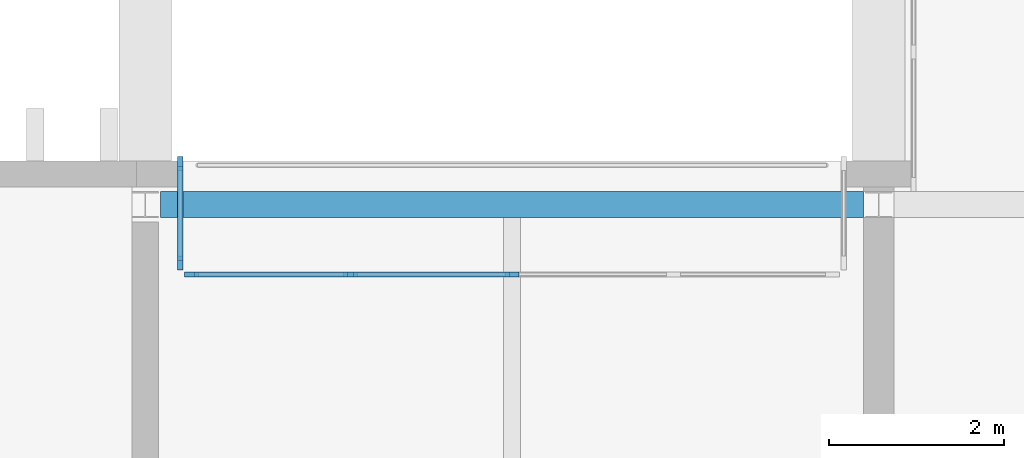
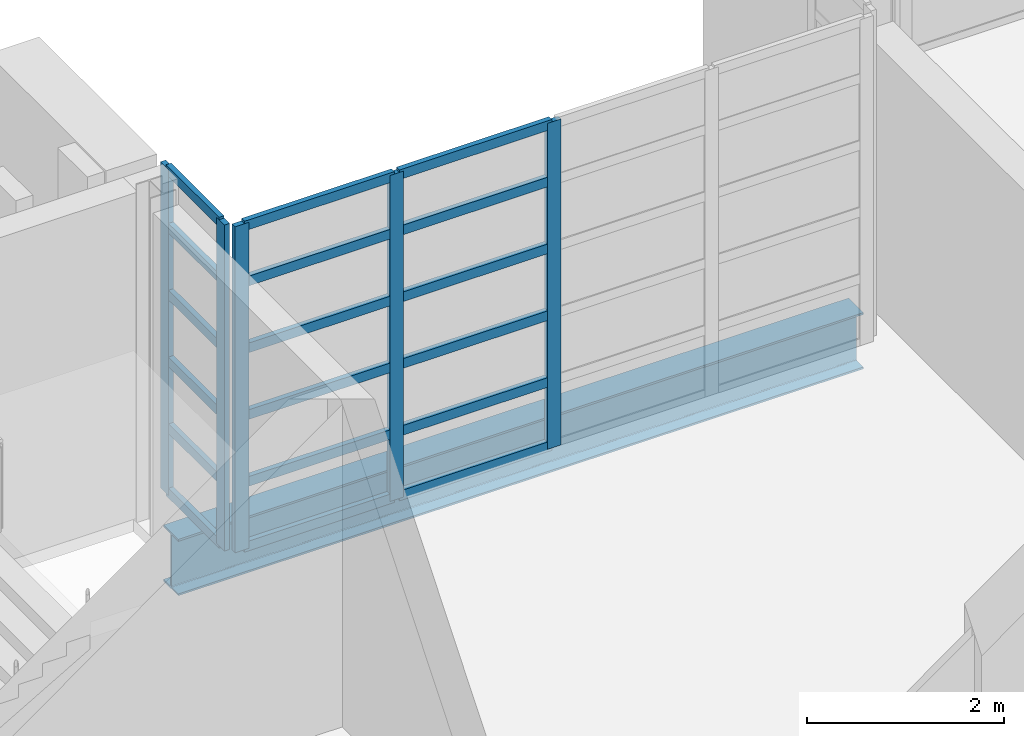
# One storey, part 18 of 100: 23 members, 1 beam, 2 elements without a shape of their own.
"""IFC4 building model written with IfcOpenShell, lengths in metres."""

from ifc_helpers import new_model, si_unit, direction, frame, origin, origin_2d, place, context, subcontext, project, spatial, rectangle, i_section, extrude, material, layer, layer_set, material_profile, profile_set, type_object, element, aggregate, save


model = new_model("IFC4")

# Units and contexts
model_context = context("Model", 3, precision=1e-05, world=origin(), true_north=direction((0.0, 1.0)))
body_context = subcontext(model_context, "Body", "Model", "MODEL_VIEW")
ifc_project = project(units=[si_unit("LENGTHUNIT", "METRE"), si_unit("AREAUNIT", "SQUARE_METRE"), si_unit("VOLUMEUNIT", "CUBIC_METRE"), si_unit("PLANEANGLEUNIT", "RADIAN"), si_unit("MASSUNIT", "GRAM", prefix="KILO")], contexts=[model_context])

# Site, building, storey
site_placement = place(None, origin())
site = spatial("IfcSite", under=ifc_project, at=site_placement, CompositionType="ELEMENT")
building_placement = place(site_placement, origin())
building = spatial("IfcBuilding", under=site, at=building_placement, Name="Cresset Court Congress Hotel", CompositionType="ELEMENT")
storey_placement = place(building_placement, frame((0.0, 0.0, 10.199951171875)))
storey = spatial("IfcBuildingStorey", under=building, at=storey_placement, Name="L02", CompositionType="ELEMENT", Elevation=10.199951171875)

# Curtain wall, members
ifc_material_1 = material(Name="Aluminium frame with double glazing", Category="aluminium")
ifc_layer = layer(ifc_material_1, 0.199951171875)
ifc_layer_set = layer_set([ifc_layer], Name="Glazed box curtain wall 1680 module")
curtain_wall_type = type_object("IfcCurtainWallType", Name="Glazed box curtain wall 1680 module", PredefinedType="NOTDEFINED", material=ifc_layer_set)
curtain_wall_1_placement = place(storey_placement, origin())
curtain_wall_1 = element("IfcCurtainWall", 1, at=curtain_wall_1_placement, inside=storey, type_object=curtain_wall_type, Name="Glazed box N0226 front", PredefinedType="NOTDEFINED")
ifc_material_2 = material(Name="Aluminium", Category="aluminium")
ifc_material_profile_1 = material_profile(ifc_material_2, rectangle(XDim=0.06005859375, YDim=0.159912109375, at=origin_2d()), Name="Box mullion 60x160")
ifc_profile_set_1 = profile_set([ifc_material_profile_1], Name="Aluminium")
member_type_1 = type_object("IfcMemberType", Name="Box mullion 60x160", PredefinedType="MULLION", material=ifc_profile_set_1)
member_1_placement = place(storey_placement, frame((67.72998046875, 24.39990234375, 0.0), z_axis=(0.0, 0.0, 1.0), x_axis=(0.0, 1.0, 0.0)))
member_1 = element("IfcMember", 2, at=member_1_placement, type_object=member_type_1, Name="B-X1 mullion 1", PredefinedType="MULLION", context=body_context, shape_type="SweptSolid", body=[
    extrude(rectangle(XDim=0.06005859375, YDim=0.159912109375, at=origin_2d()), origin(), (0.0, 0.0, 1.0), 4.050048828125),
])
member_2_placement = place(storey_placement, frame((69.550048828125, 24.39990234375, 0.0), z_axis=(0.0, 0.0, 1.0), x_axis=(0.0, 1.0, 0.0)))
member_2 = element("IfcMember", 3, at=member_2_placement, type_object=member_type_1, Name="B-X1 mullion 2", PredefinedType="MULLION", context=body_context, shape_type="SweptSolid", body=[
    extrude(rectangle(XDim=0.06005859375, YDim=0.159912109375, at=origin_2d()), origin(), (0.0, 0.0, 1.0), 4.050048828125),
])
member_3_placement = place(storey_placement, frame((71.39990234375, 24.39990234375, 0.0), z_axis=(0.0, 0.0, 1.0), x_axis=(0.0, 1.0, 0.0)))
member_3 = element("IfcMember", 4, at=member_3_placement, type_object=member_type_1, Name="B-X1 mullion 3", PredefinedType="MULLION", context=body_context, shape_type="SweptSolid", body=[
    extrude(rectangle(XDim=0.06005859375, YDim=0.159912109375, at=origin_2d()), origin(), (0.0, 0.0, 1.0), 4.050048828125),
])

curtain_wall_2_placement = place(storey_placement, origin())
curtain_wall_2 = element("IfcCurtainWall", 5, at=curtain_wall_2_placement, inside=storey, type_object=curtain_wall_type, Name="Glazed box N0226 side", PredefinedType="NOTDEFINED")
member_4_placement = place(storey_placement, frame((67.60009765625, 25.669921875, 0.0), z_axis=(0.0, 0.0, 1.0), x_axis=(1.0, 0.0, 0.0)))
member_4 = element("IfcMember", 6, at=member_4_placement, type_object=member_type_1, Name="B-X1 mullion 1", PredefinedType="MULLION", context=body_context, shape_type="SweptSolid", body=[
    extrude(rectangle(XDim=0.06005859375, YDim=0.159912109375, at=origin_2d()), origin(), (0.0, 0.0, 1.0), 4.050048828125),
])
member_5_placement = place(storey_placement, frame((67.60009765625, 24.530029296875, 0.0), z_axis=(0.0, 0.0, 1.0), x_axis=(1.0, 0.0, 0.0)))
member_5 = element("IfcMember", 7, at=member_5_placement, type_object=member_type_1, Name="B-X1 mullion 2", PredefinedType="MULLION", context=body_context, shape_type="SweptSolid", body=[
    extrude(rectangle(XDim=0.06005859375, YDim=0.159912109375, at=origin_2d()), origin(), (0.0, 0.0, 1.0), 4.050048828125),
])

# Member
ifc_material_3 = material(Name="Aluminium", Category="aluminium")
ifc_material_profile_2 = material_profile(ifc_material_3, rectangle(XDim=0.06005859375, YDim=0.1201171875, at=origin_2d()), Name="Box transom 60x120")
ifc_profile_set_2 = profile_set([ifc_material_profile_2], Name="Aluminium")
member_type_2 = type_object("IfcMemberType", Name="Box transom 60x120", PredefinedType="USERDEFINED", material=ifc_profile_set_2)
member_6_placement = place(storey_placement, frame((67.760009765625, 24.39990234375, 0.030029296875), z_axis=(1.0, 0.0, 0.0), x_axis=(0.0, 1.0, 0.0)))
member_6 = element("IfcMember", 8, at=member_6_placement, type_object=member_type_2, Name="B-X1 transom 1.1", ObjectType="TRANSOM", PredefinedType="USERDEFINED", context=body_context, shape_type="SweptSolid", body=[
    extrude(rectangle(XDim=0.06005859375, YDim=0.1201171875, at=origin_2d()), origin(), (0.0, 0.0, 1.0), 1.760009765625),
])

member_7_placement = place(storey_placement, frame((67.760009765625, 24.39990234375, 0.830078125), z_axis=(1.0, 0.0, 0.0), x_axis=(0.0, 1.0, 0.0)))
member_7 = element("IfcMember", 9, at=member_7_placement, type_object=member_type_2, Name="B-X1 transom 1.2", ObjectType="TRANSOM", PredefinedType="USERDEFINED", context=body_context, shape_type="SweptSolid", body=[
    extrude(rectangle(XDim=0.06005859375, YDim=0.1201171875, at=origin_2d()), origin(), (0.0, 0.0, 1.0), 1.760009765625),
])

member_8_placement = place(storey_placement, frame((67.760009765625, 24.39990234375, 1.66015625), z_axis=(1.0, 0.0, 0.0), x_axis=(0.0, 1.0, 0.0)))
member_8 = element("IfcMember", 10, at=member_8_placement, type_object=member_type_2, Name="B-X1 transom 1.3", ObjectType="TRANSOM", PredefinedType="USERDEFINED", context=body_context, shape_type="SweptSolid", body=[
    extrude(rectangle(XDim=0.06005859375, YDim=0.1201171875, at=origin_2d()), origin(), (0.0, 0.0, 1.0), 1.760009765625),
])

member_9_placement = place(storey_placement, frame((67.760009765625, 24.39990234375, 2.489990234375), z_axis=(1.0, 0.0, 0.0), x_axis=(0.0, 1.0, 0.0)))
member_9 = element("IfcMember", 11, at=member_9_placement, type_object=member_type_2, Name="B-X1 transom 1.4", ObjectType="TRANSOM", PredefinedType="USERDEFINED", context=body_context, shape_type="SweptSolid", body=[
    extrude(rectangle(XDim=0.06005859375, YDim=0.1201171875, at=origin_2d()), origin(), (0.0, 0.0, 1.0), 1.760009765625),
])

member_10_placement = place(storey_placement, frame((67.760009765625, 24.39990234375, 3.320068359375), z_axis=(1.0, 0.0, 0.0), x_axis=(0.0, 1.0, 0.0)))
member_10 = element("IfcMember", 12, at=member_10_placement, type_object=member_type_2, Name="B-X1 transom 1.5", ObjectType="TRANSOM", PredefinedType="USERDEFINED", context=body_context, shape_type="SweptSolid", body=[
    extrude(rectangle(XDim=0.06005859375, YDim=0.1201171875, at=origin_2d()), origin(), (0.0, 0.0, 1.0), 1.760009765625),
])

member_11_placement = place(storey_placement, frame((67.760009765625, 24.39990234375, 4.02001953125), z_axis=(1.0, 0.0, 0.0), x_axis=(0.0, 1.0, 0.0)))
member_11 = element("IfcMember", 13, at=member_11_placement, type_object=member_type_2, Name="B-X1 transom 1.6", ObjectType="TRANSOM", PredefinedType="USERDEFINED", context=body_context, shape_type="SweptSolid", body=[
    extrude(rectangle(XDim=0.06005859375, YDim=0.1201171875, at=origin_2d()), origin(), (0.0, 0.0, 1.0), 1.760009765625),
])

member_12_placement = place(storey_placement, frame((69.580078125, 24.39990234375, 0.030029296875), z_axis=(1.0, 0.0, 0.0), x_axis=(0.0, 1.0, 0.0)))
member_12 = element("IfcMember", 14, at=member_12_placement, type_object=member_type_2, Name="B-X1 transom 2.1", ObjectType="TRANSOM", PredefinedType="USERDEFINED", context=body_context, shape_type="SweptSolid", body=[
    extrude(rectangle(XDim=0.06005859375, YDim=0.1201171875, at=origin_2d()), origin(), (0.0, 0.0, 1.0), 1.7900390625),
])

member_13_placement = place(storey_placement, frame((69.580078125, 24.39990234375, 0.830078125), z_axis=(1.0, 0.0, 0.0), x_axis=(0.0, 1.0, 0.0)))
member_13 = element("IfcMember", 15, at=member_13_placement, type_object=member_type_2, Name="B-X1 transom 2.2", ObjectType="TRANSOM", PredefinedType="USERDEFINED", context=body_context, shape_type="SweptSolid", body=[
    extrude(rectangle(XDim=0.06005859375, YDim=0.1201171875, at=origin_2d()), origin(), (0.0, 0.0, 1.0), 1.7900390625),
])

member_14_placement = place(storey_placement, frame((69.580078125, 24.39990234375, 1.66015625), z_axis=(1.0, 0.0, 0.0), x_axis=(0.0, 1.0, 0.0)))
member_14 = element("IfcMember", 16, at=member_14_placement, type_object=member_type_2, Name="B-X1 transom 2.3", ObjectType="TRANSOM", PredefinedType="USERDEFINED", context=body_context, shape_type="SweptSolid", body=[
    extrude(rectangle(XDim=0.06005859375, YDim=0.1201171875, at=origin_2d()), origin(), (0.0, 0.0, 1.0), 1.7900390625),
])

member_15_placement = place(storey_placement, frame((69.580078125, 24.39990234375, 2.489990234375), z_axis=(1.0, 0.0, 0.0), x_axis=(0.0, 1.0, 0.0)))
member_15 = element("IfcMember", 17, at=member_15_placement, type_object=member_type_2, Name="B-X1 transom 2.4", ObjectType="TRANSOM", PredefinedType="USERDEFINED", context=body_context, shape_type="SweptSolid", body=[
    extrude(rectangle(XDim=0.06005859375, YDim=0.1201171875, at=origin_2d()), origin(), (0.0, 0.0, 1.0), 1.7900390625),
])

member_16_placement = place(storey_placement, frame((69.580078125, 24.39990234375, 3.320068359375), z_axis=(1.0, 0.0, 0.0), x_axis=(0.0, 1.0, 0.0)))
member_16 = element("IfcMember", 18, at=member_16_placement, type_object=member_type_2, Name="B-X1 transom 2.5", ObjectType="TRANSOM", PredefinedType="USERDEFINED", context=body_context, shape_type="SweptSolid", body=[
    extrude(rectangle(XDim=0.06005859375, YDim=0.1201171875, at=origin_2d()), origin(), (0.0, 0.0, 1.0), 1.7900390625),
])

member_17_placement = place(storey_placement, frame((69.580078125, 24.39990234375, 4.02001953125), z_axis=(1.0, 0.0, 0.0), x_axis=(0.0, 1.0, 0.0)))
member_17 = element("IfcMember", 19, at=member_17_placement, type_object=member_type_2, Name="B-X1 transom 2.6", ObjectType="TRANSOM", PredefinedType="USERDEFINED", context=body_context, shape_type="SweptSolid", body=[
    extrude(rectangle(XDim=0.06005859375, YDim=0.1201171875, at=origin_2d()), origin(), (0.0, 0.0, 1.0), 1.7900390625),
])

aggregate(curtain_wall_1, [member_1, member_2, member_3, member_6, member_7, member_8, member_9, member_10, member_11, member_12, member_13, member_14, member_15, member_16, member_17])

member_18_placement = place(storey_placement, frame((67.60009765625, 25.639892578125, 0.030029296875), z_axis=(0.0, -1.0, 0.0), x_axis=(1.0, 0.0, 0.0)))
member_18 = element("IfcMember", 20, at=member_18_placement, type_object=member_type_2, Name="B-X1 transom 1.1", ObjectType="TRANSOM", PredefinedType="USERDEFINED", context=body_context, shape_type="SweptSolid", body=[
    extrude(rectangle(XDim=0.06005859375, YDim=0.1201171875, at=origin_2d()), origin(), (0.0, 0.0, 1.0), 1.079833984375),
])

member_19_placement = place(storey_placement, frame((67.60009765625, 25.639892578125, 0.830078125), z_axis=(0.0, -1.0, 0.0), x_axis=(1.0, 0.0, 0.0)))
member_19 = element("IfcMember", 21, at=member_19_placement, type_object=member_type_2, Name="B-X1 transom 1.2", ObjectType="TRANSOM", PredefinedType="USERDEFINED", context=body_context, shape_type="SweptSolid", body=[
    extrude(rectangle(XDim=0.06005859375, YDim=0.1201171875, at=origin_2d()), origin(), (0.0, 0.0, 1.0), 1.079833984375),
])

member_20_placement = place(storey_placement, frame((67.60009765625, 25.639892578125, 1.66015625), z_axis=(0.0, -1.0, 0.0), x_axis=(1.0, 0.0, 0.0)))
member_20 = element("IfcMember", 22, at=member_20_placement, type_object=member_type_2, Name="B-X1 transom 1.3", ObjectType="TRANSOM", PredefinedType="USERDEFINED", context=body_context, shape_type="SweptSolid", body=[
    extrude(rectangle(XDim=0.06005859375, YDim=0.1201171875, at=origin_2d()), origin(), (0.0, 0.0, 1.0), 1.079833984375),
])

member_21_placement = place(storey_placement, frame((67.60009765625, 25.639892578125, 2.489990234375), z_axis=(0.0, -1.0, 0.0), x_axis=(1.0, 0.0, 0.0)))
member_21 = element("IfcMember", 23, at=member_21_placement, type_object=member_type_2, Name="B-X1 transom 1.4", ObjectType="TRANSOM", PredefinedType="USERDEFINED", context=body_context, shape_type="SweptSolid", body=[
    extrude(rectangle(XDim=0.06005859375, YDim=0.1201171875, at=origin_2d()), origin(), (0.0, 0.0, 1.0), 1.079833984375),
])

member_22_placement = place(storey_placement, frame((67.60009765625, 25.639892578125, 3.320068359375), z_axis=(0.0, -1.0, 0.0), x_axis=(1.0, 0.0, 0.0)))
member_22 = element("IfcMember", 24, at=member_22_placement, type_object=member_type_2, Name="B-X1 transom 1.5", ObjectType="TRANSOM", PredefinedType="USERDEFINED", context=body_context, shape_type="SweptSolid", body=[
    extrude(rectangle(XDim=0.06005859375, YDim=0.1201171875, at=origin_2d()), origin(), (0.0, 0.0, 1.0), 1.079833984375),
])

member_23_placement = place(storey_placement, frame((67.60009765625, 25.639892578125, 4.02001953125), z_axis=(0.0, -1.0, 0.0), x_axis=(1.0, 0.0, 0.0)))
member_23 = element("IfcMember", 25, at=member_23_placement, type_object=member_type_2, Name="B-X1 transom 1.6", ObjectType="TRANSOM", PredefinedType="USERDEFINED", context=body_context, shape_type="SweptSolid", body=[
    extrude(rectangle(XDim=0.06005859375, YDim=0.1201171875, at=origin_2d()), origin(), (0.0, 0.0, 1.0), 1.079833984375),
])

aggregate(curtain_wall_2, [member_4, member_5, member_18, member_19, member_20, member_21, member_22, member_23])

# Beam
ifc_material_4 = material(Name="Structural steel Q355B", Category="steel")
ifc_material_profile_3 = material_profile(ifc_material_4, i_section(OverallWidth=0.300048828125, OverallDepth=0.699951171875, WebThickness=0.012939453125, FlangeThickness=0.02392578125, FilletRadius=0.01806640625, at=origin_2d()), Name="HN700x300x13x24")
ifc_profile_set_3 = profile_set([ifc_material_profile_3], Name="Structural steel Q355B")
beam_type = type_object("IfcBeamType", Name="Steel beam HN700x300x13x24", PredefinedType="BEAM", material=ifc_profile_set_3)
beam_placement = place(storey_placement, frame((67.375, 25.199951171875, -0.5), z_axis=(1.0, 0.0, 0.0), x_axis=(0.0, 1.0, 0.0)))
element("IfcBeam", 26, at=beam_placement, inside=storey, type_object=beam_type, Name="B.bx.L02.D09", PredefinedType="BEAM", context=body_context, shape_type="SweptSolid", body=[
    extrude(i_section(OverallWidth=0.300048828125, OverallDepth=0.699951171875, WebThickness=0.012939453125, FlangeThickness=0.02392578125, FilletRadius=0.01806640625, at=origin_2d()), origin(), (0.0, 0.0, 1.0), 8.050048828125),
])

save(model, "model.ifc")
